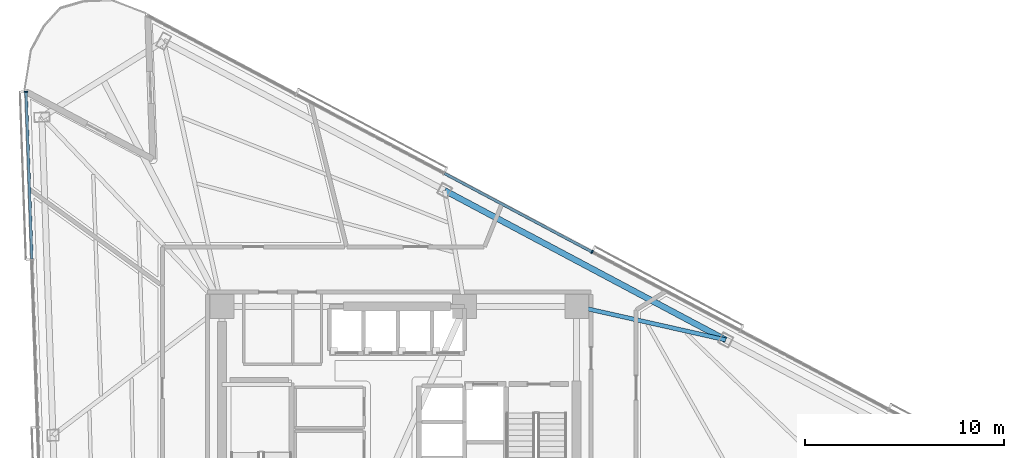
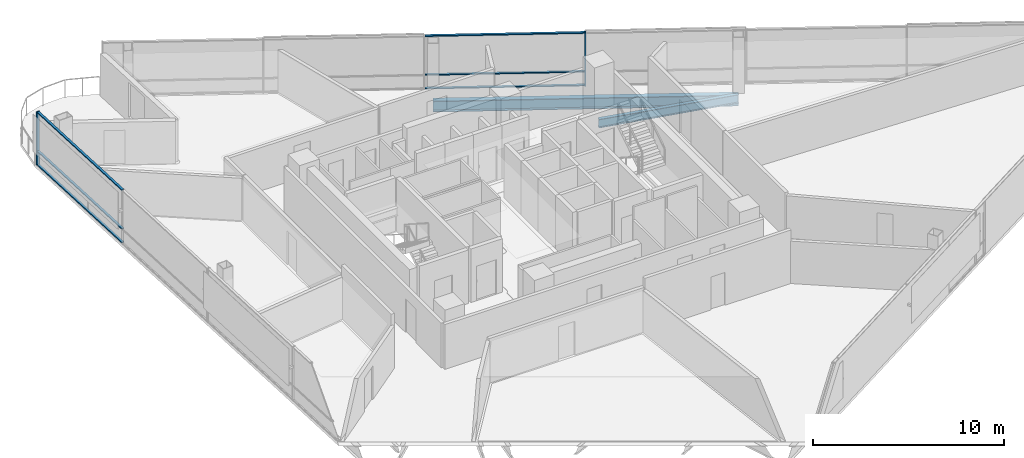
# One storey, part 8 of 20: 8 members, 2 beams, 2 elements without a shape of their own.
"""IFC4 building model written with IfcOpenShell, lengths in metres."""

from ifc_helpers import new_model, si_unit, direction, frame, origin, origin_2d, place, context, subcontext, project, spatial, rectangle, i_section, extrude, material, layer, layer_set, material_profile, profile_set, type_object, element, aggregate, save


model = new_model("IFC4")

# Units and contexts
model_context = context("Model", 3, precision=1e-05, world=origin(), true_north=direction((0.0, 1.0)))
body_context = subcontext(model_context, "Body", "Model", "MODEL_VIEW")
ifc_project = project(units=[si_unit("LENGTHUNIT", "METRE"), si_unit("AREAUNIT", "SQUARE_METRE"), si_unit("VOLUMEUNIT", "CUBIC_METRE"), si_unit("PLANEANGLEUNIT", "RADIAN"), si_unit("MASSUNIT", "GRAM", prefix="KILO")], contexts=[model_context])

# Site, building, storey
site_placement = place(None, origin())
site = spatial("IfcSite", under=ifc_project, at=site_placement, CompositionType="ELEMENT")
building_placement = place(site_placement, origin())
building = spatial("IfcBuilding", under=site, at=building_placement, Name="Tharavind Bronze Gate", CompositionType="ELEMENT")
storey_placement = place(building_placement, frame((0.0, 0.0, 146.0)))
storey = spatial("IfcBuildingStorey", under=building, at=storey_placement, Name="L37", CompositionType="ELEMENT", Elevation=146.0)

# Curtain wall, member
ifc_material_1 = material(Name="Anodised Bronze Aluminium", Category="aluminium")
ifc_layer = layer(ifc_material_1, 0.219970703125)
ifc_layer_set = layer_set([ifc_layer], Name="Anodised Bronze Aluminium")
curtain_wall_type = type_object("IfcCurtainWallType", Name="UNITISED CURTAIN WALL MID OFFICE", PredefinedType="USERDEFINED", material=ifc_layer_set)
curtain_wall_1_placement = place(storey_placement, origin())
curtain_wall_1 = element("IfcCurtainWall", 1, at=curtain_wall_1_placement, inside=storey, type_object=curtain_wall_type, Name="L37 unitised curtain wall mid office CW-L37-S1", ObjectType="UNITISED CURTAIN WALL", PredefinedType="USERDEFINED")
member_type_1 = type_object("IfcMemberType", Name="CURTAIN WALL BRONZE MULLION 65X180", PredefinedType="MULLION", material=ifc_material_1)
member_1_placement = place(storey_placement, frame((-18.7197265625, 18.364501953125, 0.0), z_axis=(0.0, 0.0, 1.0), x_axis=(0.034899496703, -0.999390827019, 0.0)))
member_1 = element("IfcMember", 2, at=member_1_placement, type_object=member_type_1, Name="CW-L37-S1 mullion 1", PredefinedType="MULLION", context=body_context, shape_type="SweptSolid", body=[
    extrude(rectangle(XDim=0.06494140625, YDim=0.179931640625, at=origin_2d()), origin(), (0.0, 0.0, 1.0), 3.409912109375),
])

curtain_wall_2_placement = place(storey_placement, origin())
curtain_wall_2 = element("IfcCurtainWall", 3, at=curtain_wall_2_placement, inside=storey, type_object=curtain_wall_type, Name="L37 unitised curtain wall mid office CW-L37-S3", ObjectType="UNITISED CURTAIN WALL", PredefinedType="USERDEFINED")
member_2_placement = place(storey_placement, frame((9.6748046875, 10.32861328125, 0.0), z_axis=(0.0, 0.0, 1.0), x_axis=(-0.882947592859, 0.469471562786, 0.0)))
member_2 = element("IfcMember", 4, at=member_2_placement, type_object=member_type_1, Name="CW-L37-S3 mullion 4", PredefinedType="MULLION", context=body_context, shape_type="SweptSolid", body=[
    extrude(rectangle(XDim=0.06494140625, YDim=0.179931640625, at=origin_2d()), origin(), (0.0, 0.0, 1.0), 3.409912109375),
])

# Member
member_type_2 = type_object("IfcMemberType", Name="CURTAIN WALL BRONZE TRANSOM 65X140", PredefinedType="USERDEFINED", material=ifc_material_1)
member_3_placement = place(storey_placement, frame((-18.572998046875, 14.159912109375, 0.0), z_axis=(0.0, 0.0, 1.0), x_axis=(0.034899496703, -0.999390827019, 0.0)))
member_3 = element("IfcMember", 5, at=member_3_placement, type_object=member_type_2, Name="CW-L37-S1 transom TB1", ObjectType="TRANSOM", PredefinedType="USERDEFINED", context=body_context, shape_type="SweptSolid", body=[
    extrude(rectangle(XDim=8.361572265625, YDim=0.139892578125, at=origin_2d()), origin(), (0.0, 0.0, 1.0), 0.06494140625),
])

member_4_placement = place(storey_placement, frame((-18.572998046875, 14.159912109375, 0.867431640625), z_axis=(0.0, 0.0, 1.0), x_axis=(0.034899496703, -0.999390827019, 0.0)))
member_4 = element("IfcMember", 6, at=member_4_placement, type_object=member_type_2, Name="CW-L37-S1 transom TS1", ObjectType="TRANSOM", PredefinedType="USERDEFINED", context=body_context, shape_type="SweptSolid", body=[
    extrude(rectangle(XDim=8.361572265625, YDim=0.139892578125, at=origin_2d()), origin(), (0.0, 0.0, 1.0), 0.06494140625),
])

member_5_placement = place(storey_placement, frame((-18.572998046875, 14.159912109375, 3.344970703125), z_axis=(0.0, 0.0, 1.0), x_axis=(0.034899496703, -0.999390827019, 0.0)))
member_5 = element("IfcMember", 7, at=member_5_placement, type_object=member_type_2, Name="CW-L37-S1 transom TT1", ObjectType="TRANSOM", PredefinedType="USERDEFINED", context=body_context, shape_type="SweptSolid", body=[
    extrude(rectangle(XDim=8.361572265625, YDim=0.139892578125, at=origin_2d()), origin(), (0.0, 0.0, 1.0), 0.06494140625),
])

aggregate(curtain_wall_1, [member_1, member_3, member_4, member_5])

member_6_placement = place(storey_placement, frame((5.960205078125, 12.303955078125, 0.0), z_axis=(0.0, 0.0, 1.0), x_axis=(-0.882947592859, 0.469471562786, 0.0)))
member_6 = element("IfcMember", 8, at=member_6_placement, type_object=member_type_2, Name="CW-L37-S3 transom TB4", ObjectType="TRANSOM", PredefinedType="USERDEFINED", context=body_context, shape_type="SweptSolid", body=[
    extrude(rectangle(XDim=8.361572265625, YDim=0.139892578125, at=origin_2d()), origin(), (0.0, 0.0, 1.0), 0.06494140625),
])

member_7_placement = place(storey_placement, frame((5.960205078125, 12.303955078125, 0.867431640625), z_axis=(0.0, 0.0, 1.0), x_axis=(-0.882947592859, 0.469471562786, 0.0)))
member_7 = element("IfcMember", 9, at=member_7_placement, type_object=member_type_2, Name="CW-L37-S3 transom TS4", ObjectType="TRANSOM", PredefinedType="USERDEFINED", context=body_context, shape_type="SweptSolid", body=[
    extrude(rectangle(XDim=8.361572265625, YDim=0.139892578125, at=origin_2d()), origin(), (0.0, 0.0, 1.0), 0.06494140625),
])

member_8_placement = place(storey_placement, frame((5.960205078125, 12.303955078125, 3.344970703125), z_axis=(0.0, 0.0, 1.0), x_axis=(-0.882947592859, 0.469471562786, 0.0)))
member_8 = element("IfcMember", 10, at=member_8_placement, type_object=member_type_2, Name="CW-L37-S3 transom TT4", ObjectType="TRANSOM", PredefinedType="USERDEFINED", context=body_context, shape_type="SweptSolid", body=[
    extrude(rectangle(XDim=8.361572265625, YDim=0.139892578125, at=origin_2d()), origin(), (0.0, 0.0, 1.0), 0.06494140625),
])

aggregate(curtain_wall_2, [member_2, member_6, member_7, member_8])

# Beams
ifc_material_2 = material(Name="Steel S355", Category="steel")
ifc_material_profile_1 = material_profile(ifc_material_2, i_section(OverallWidth=0.2099609375, OverallDepth=0.550048828125, WebThickness=0.010986328125, FlangeThickness=0.01708984375, at=origin_2d()), Name="IPE550")
ifc_profile_set_1 = profile_set([ifc_material_profile_1], Name="Steel S355")
beam_type_1 = type_object("IfcBeamType", Name="PRIMARY GIRDER IPE550", PredefinedType="USERDEFINED", material=ifc_profile_set_1)
beam_1_placement = place(storey_placement, frame((16.3701171875, 5.91943359375, -0.465087890625), z_axis=(-0.97561351158, 0.219495503422, 0.0), x_axis=(-0.219495503422, -0.97561351158, 0.0)))
element("IfcBeam", 11, at=beam_1_placement, inside=storey, type_object=beam_type_1, Name="L37 primary girder ipe550 BM-L37-RAD10", ObjectType="GIRDER", PredefinedType="USERDEFINED", context=body_context, shape_type="SweptSolid", body=[
    extrude(i_section(OverallWidth=0.2099609375, OverallDepth=0.550048828125, WebThickness=0.010986328125, FlangeThickness=0.01708984375, at=origin_2d()), origin(), (0.0, 0.0, 1.0), 7.656982421875),
])
ifc_material_profile_2 = material_profile(ifc_material_2, i_section(OverallWidth=0.300048828125, OverallDepth=0.699951171875, WebThickness=0.01708984375, FlangeThickness=0.031982421875, at=origin_2d()), Name="HE700B")
ifc_profile_set_2 = profile_set([ifc_material_profile_2], Name="Steel S355")
beam_type_2 = type_object("IfcBeamType", Name="RING GIRDER HE700B", PredefinedType="USERDEFINED", material=ifc_profile_set_2)
beam_2_placement = place(storey_placement, frame((16.3701171875, 5.91943359375, -0.5400390625), z_axis=(-0.882948335869, 0.469470165385, 0.0), x_axis=(-0.469470165385, -0.882948335869, 0.0)))
element("IfcBeam", 12, at=beam_2_placement, inside=storey, type_object=beam_type_2, Name="L37 ring girder he700b BM-L37-PRG10", ObjectType="GIRDER", PredefinedType="USERDEFINED", context=body_context, shape_type="SweptSolid", body=[
    extrude(i_section(OverallWidth=0.300048828125, OverallDepth=0.699951171875, WebThickness=0.01708984375, FlangeThickness=0.031982421875, at=origin_2d()), origin(), (0.0, 0.0, 1.0), 15.962890625),
])

save(model, "model.ifc")
